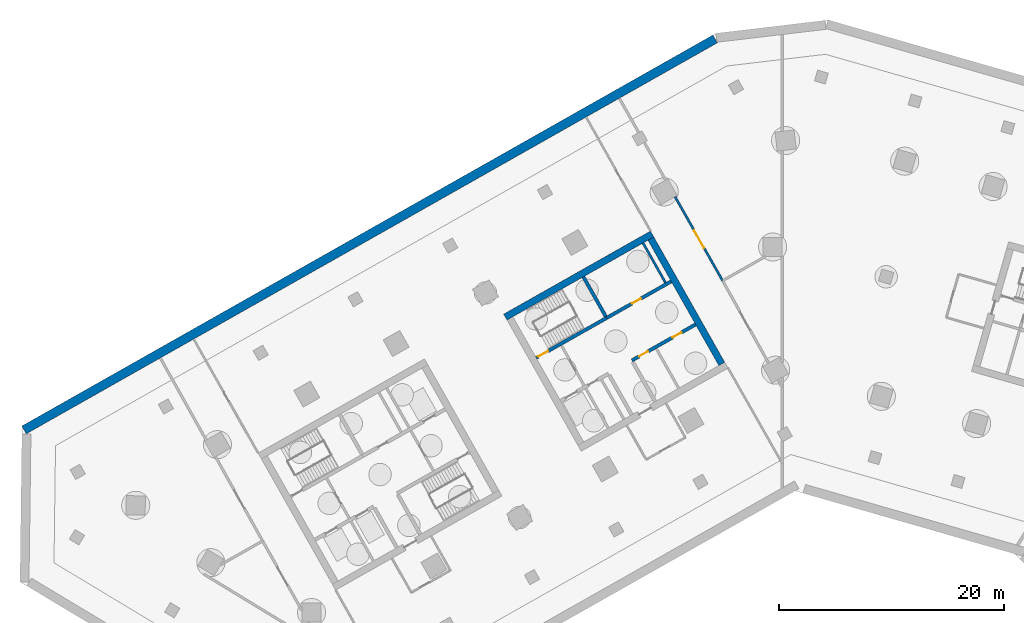
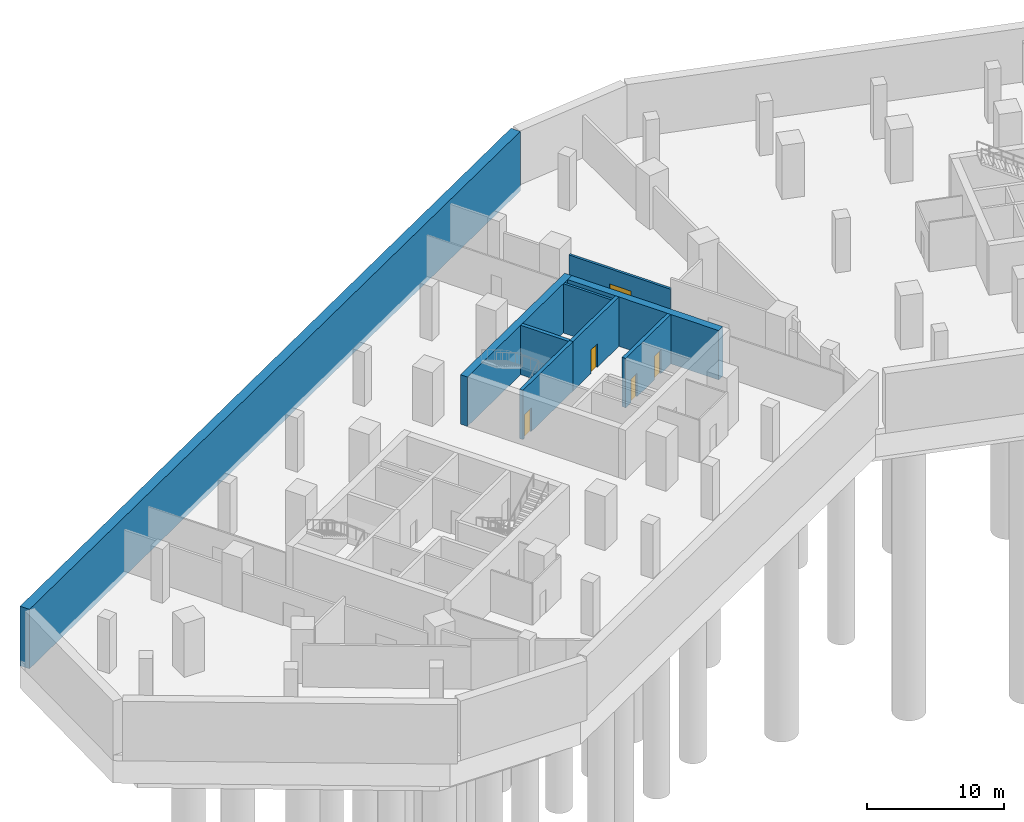
# One storey, part 4 of 11: 9 walls, 5 doors, 5 openings.
"""IFC4 building model written with IfcOpenShell, lengths in metres."""

from ifc_helpers import new_model, si_unit, direction, frame, frame_2d, origin, place, context, subcontext, project, spatial, rectangle, extrude, material, layer, layer_set, type_object, element, fill, save


model = new_model("IFC4")

# Units and contexts
model_context = context("Model", 3, precision=1e-05, world=origin(), true_north=direction((0.0, 1.0)))
body_context = subcontext(model_context, "Body", "Model", "MODEL_VIEW")
ifc_project = project(units=[si_unit("LENGTHUNIT", "METRE"), si_unit("AREAUNIT", "SQUARE_METRE"), si_unit("VOLUMEUNIT", "CUBIC_METRE"), si_unit("PLANEANGLEUNIT", "RADIAN"), si_unit("MASSUNIT", "GRAM", prefix="KILO")], contexts=[model_context])

# Site, building, storey
site_placement = place(None, origin())
site = spatial("IfcSite", under=ifc_project, at=site_placement, CompositionType="ELEMENT")
building_placement = place(site_placement, origin())
building = spatial("IfcBuilding", under=site, at=building_placement, Name="Binnacle Exchange Tower", CompositionType="ELEMENT")
storey_placement = place(building_placement, frame((0.0, 0.0, -9.60009765625)))
storey = spatial("IfcBuildingStorey", under=building, at=storey_placement, Name="B2", CompositionType="ELEMENT", Elevation=-9.60009765625)

# Wall
ifc_material_1 = material(Name="Concrete C40/50", Category="concrete")
ifc_layer_1 = layer(ifc_material_1, 0.800048828125)
ifc_layer_set_1 = layer_set([ifc_layer_1], Name="Basement retaining wall 800 Concrete C40/50")
wall_type_1 = type_object("IfcWallType", Name="Basement retaining wall 800 Concrete C40/50", PredefinedType="SOLIDWALL", material=ifc_layer_set_1)
wall_1_placement = place(storey_placement, frame((-5.97119140625, 78.502685546875, -0.5), z_axis=(0.0, 0.0, 1.0), x_axis=(-0.870356741611, -0.492421711882, 0.0)))
element("IfcWall", 1, at=wall_1_placement, inside=storey, type_object=wall_type_1, Name="S:RW:B2:04", PredefinedType="SOLIDWALL", context=body_context, shape_type="SweptSolid", body=[
    extrude(rectangle(XDim=70.604248046875, YDim=0.800048828125, at=frame_2d((35.30224609375, 0.0))), origin(), (0.0, 0.0, 1.0), 5.300048828125),
])

# Wall, openings, doors
ifc_material_2 = material(Name="Concrete C70/85", Category="concrete")
ifc_layer_2 = layer(ifc_material_2, 0.300048828125)
ifc_layer_set_2 = layer_set([ifc_layer_2], Name="Core wall - front 300")
wall_type_2 = type_object("IfcWallType", Name="Core wall - front 300", PredefinedType="SOLIDWALL", material=ifc_layer_set_2)
wall_2_placement = place(storey_placement, frame((-13.364501953125, 49.910888671875, 0.0), z_axis=(0.0, 0.0, 1.0), x_axis=(0.870340995471, 0.49244954219, 0.0)))
wall_2 = element("IfcWall", 2, at=wall_2_placement, inside=storey, type_object=wall_type_2, Name="Core wall CRWC3", PredefinedType="SOLIDWALL", context=body_context, shape_type="SweptSolid", body=[
    extrude(rectangle(XDim=6.5, YDim=0.300048828125, at=frame_2d((3.25, 0.0))), origin(), (0.0, 0.0, 1.0), 4.400146484375),
])
opening_1_placement = place(wall_2_placement, frame((0.75, 0.0, 0.0)))
opening_1 = element("IfcOpeningElement", 3, at=opening_1_placement, cuts=wall_2, Name="Opening DC18", PredefinedType="OPENING", context=body_context, shape_type="SweptSolid", body=[
    extrude(rectangle(XDim=0.89990234375, YDim=2.10009765625, at=frame_2d((0.449951171875, 1.050048828125))), frame((0.0, 0.159912109375, 0.0), z_axis=(0.0, -1.0, 0.0), x_axis=(1.0, 0.0, 0.0)), (0.0, 0.0, 1.0), 0.320068359375),
])
opening_2_placement = place(wall_2_placement, frame((4.14990234375, 0.0, 0.0)))
opening_2 = element("IfcOpeningElement", 4, at=opening_2_placement, cuts=wall_2, Name="Opening DC19", PredefinedType="OPENING", context=body_context, shape_type="SweptSolid", body=[
    extrude(rectangle(XDim=0.89990234375, YDim=2.10009765625, at=frame_2d((0.449951171875, 1.050048828125))), frame((0.0, 0.159912109375, 0.0), z_axis=(0.0, -1.0, 0.0), x_axis=(1.0, 0.0, 0.0)), (0.0, 0.0, 1.0), 0.320068359375),
])
ifc_material_3 = material(Name="Steel door leaf", Category="steel")
door_type_1 = type_object("IfcDoorType", Name="Fire door 900", OperationType="NOTDEFINED", PredefinedType="DOOR", material=ifc_material_3)
door_1_placement = place(opening_1_placement, frame((0.89990234375, 0.0, 0.0), z_axis=(0.0, 0.0, 1.0), x_axis=(-1.0, 0.0, 0.0)))
door_1 = element("IfcDoor", 5, at=door_1_placement, inside=storey, type_object=door_type_1, Name="Core room door IT STORE", OperationType="SINGLE_SWING_RIGHT", OverallHeight=2.10009765625, OverallWidth=0.89990234375, PredefinedType="DOOR", context=body_context, shape_type="SweptSolid", body=[
    extrude(rectangle(XDim=0.89990234375, YDim=2.10009765625, at=frame_2d((0.449951171875, 1.050048828125))), frame((0.0, 0.02490234375, 0.0), z_axis=(0.0, -1.0, 0.0), x_axis=(1.0, 0.0, 0.0)), (0.0, 0.0, 1.0), 0.050048828125),
])
fill(opening_1, door_1)
door_2_placement = place(opening_2_placement, frame((0.89990234375, 0.0, 0.0), z_axis=(0.0, 0.0, 1.0), x_axis=(-1.0, 0.0, 0.0)))
door_2 = element("IfcDoor", 6, at=door_2_placement, inside=storey, type_object=door_type_1, Name="Core room door TELECOM RISER ROOM", OperationType="SINGLE_SWING_LEFT", OverallHeight=2.10009765625, OverallWidth=0.89990234375, PredefinedType="DOOR", context=body_context, shape_type="SweptSolid", body=[
    extrude(rectangle(XDim=0.89990234375, YDim=2.10009765625, at=frame_2d((0.449951171875, 1.050048828125))), frame((0.0, 0.02490234375, 0.0), z_axis=(0.0, -1.0, 0.0), x_axis=(1.0, 0.0, 0.0)), (0.0, 0.0, 1.0), 0.050048828125),
])
fill(opening_2, door_2)

# Wall, opening, door
wall_3_placement = place(storey_placement, frame((-15.6181640625, 53.69140625, 0.0), z_axis=(0.0, 0.0, 1.0), x_axis=(0.870356769198, 0.492421663121, 0.0)))
wall_3 = element("IfcWall", 7, at=wall_3_placement, inside=storey, type_object=wall_type_2, Name="Core wall CRWC5", PredefinedType="SOLIDWALL", context=body_context, shape_type="SweptSolid", body=[
    extrude(rectangle(XDim=6.60009765625, YDim=0.300048828125, at=frame_2d((3.300048828125, 0.0))), origin(), (0.0, 0.0, 1.0), 4.400146484375),
])
opening_3_placement = place(wall_3_placement, frame((2.60009765625, 0.0, 0.0)))
opening_3 = element("IfcOpeningElement", 8, at=opening_3_placement, cuts=wall_3, Name="Opening DC10", PredefinedType="OPENING", context=body_context, shape_type="SweptSolid", body=[
    extrude(rectangle(XDim=0.89990234375, YDim=2.10009765625, at=frame_2d((0.449951171875, 1.050048828125))), frame((0.0, 0.159912109375, 0.0), z_axis=(0.0, -1.0, 0.0), x_axis=(1.0, 0.0, 0.0)), (0.0, 0.0, 1.0), 0.320068359375),
])
door_3_placement = place(opening_3_placement, origin())
door_3 = element("IfcDoor", 9, at=door_3_placement, inside=storey, type_object=door_type_1, Name="Core room door STAFF PANTRY AND STORE", OperationType="SINGLE_SWING_LEFT", OverallHeight=2.10009765625, OverallWidth=0.89990234375, PredefinedType="DOOR", context=body_context, shape_type="SweptSolid", body=[
    extrude(rectangle(XDim=0.89990234375, YDim=2.10009765625, at=frame_2d((0.449951171875, 1.050048828125))), frame((0.0, 0.02490234375, 0.0), z_axis=(0.0, -1.0, 0.0), x_axis=(1.0, 0.0, 0.0)), (0.0, 0.0, 1.0), 0.050048828125),
])
fill(opening_3, door_3)

# Walls
ifc_layer_3 = layer(ifc_material_2, 0.60009765625)
ifc_layer_set_3 = layer_set([ifc_layer_3], Name="Core wall - outer 600")
wall_type_3 = type_object("IfcWallType", Name="Core wall - outer 600", PredefinedType="SOLIDWALL", material=ifc_layer_set_3)
wall_4_placement = place(storey_placement, frame((-24.622802734375, 53.76708984375, 0.0), z_axis=(0.0, 0.0, 1.0), x_axis=(0.870356627484, 0.492421913601, 0.0)))
element("IfcWall", 10, at=wall_4_placement, inside=storey, type_object=wall_type_3, Name="Core wall CRWC6", PredefinedType="SOLIDWALL", context=body_context, shape_type="SweptSolid", body=[
    extrude(rectangle(XDim=14.999755859375, YDim=0.60009765625, at=frame_2d((7.5, 0.0))), origin(), (0.0, 0.0, 1.0), 4.400146484375),
])
wall_5_placement = place(storey_placement, frame((-11.680908203125, 60.744384765625, 0.0), z_axis=(0.0, 0.0, 1.0), x_axis=(0.492426772896, -0.870353878221, 0.0)))
element("IfcWall", 11, at=wall_5_placement, inside=storey, type_object=wall_type_3, Name="Core wall CRWC24", PredefinedType="SOLIDWALL", context=body_context, shape_type="SweptSolid", body=[
    extrude(rectangle(XDim=12.7998046875, YDim=0.60009765625, at=frame_2d((6.39990234375, 0.0))), origin(), (0.0, 0.0, 1.0), 4.400146484375),
])

# Wall, opening, door
ifc_layer_4 = layer(ifc_material_2, 0.300048828125)
ifc_layer_set_4 = layer_set([ifc_layer_4], Name="Core wall - stair 300")
wall_type_4 = type_object("IfcWallType", Name="Core wall - stair 300", PredefinedType="SOLIDWALL", material=ifc_layer_set_4)
wall_6_placement = place(storey_placement, frame((-21.884765625, 50.14599609375, 0.0), z_axis=(0.0, 0.0, 1.0), x_axis=(0.870359411463, 0.492416992881, 0.0)))
wall_6 = element("IfcWall", 12, at=wall_6_placement, inside=storey, type_object=wall_type_4, Name="Core wall CRWC4", PredefinedType="SOLIDWALL", context=body_context, shape_type="SweptSolid", body=[
    extrude(rectangle(XDim=7.199951171875, YDim=0.300048828125, at=frame_2d((3.60009765625, 0.0))), origin(), (0.0, 0.0, 1.0), 4.400146484375),
])
opening_4_placement = place(wall_6_placement, frame((0.199951171875, 0.0, 0.0)))
opening_4 = element("IfcOpeningElement", 13, at=opening_4_placement, cuts=wall_6, Name="Opening DC1", PredefinedType="OPENING", context=body_context, shape_type="SweptSolid", body=[
    extrude(rectangle(XDim=1.0, YDim=2.10009765625, at=frame_2d((0.5, 1.050048828125))), frame((0.0, 0.159912109375, 0.0), z_axis=(0.0, -1.0, 0.0), x_axis=(1.0, 0.0, 0.0)), (0.0, 0.0, 1.0), 0.320068359375),
])
door_type_2 = type_object("IfcDoorType", Name="Fire door 1000", OperationType="NOTDEFINED", PredefinedType="DOOR", material=ifc_material_3)
door_4_placement = place(opening_4_placement, origin())
door_4 = element("IfcDoor", 14, at=door_4_placement, inside=storey, type_object=door_type_2, Name="Stair door ST-C1", OperationType="SINGLE_SWING_LEFT", OverallHeight=2.10009765625, OverallWidth=1.0, PredefinedType="DOOR", context=body_context, shape_type="SweptSolid", body=[
    extrude(rectangle(XDim=1.0, YDim=2.10009765625, at=frame_2d((0.5, 1.050048828125))), frame((0.0, 0.02490234375, 0.0), z_axis=(0.0, -1.0, 0.0), x_axis=(1.0, 0.0, 0.0)), (0.0, 0.0, 1.0), 0.050048828125),
])
fill(opening_4, door_4)

# Wall
wall_7_placement = place(storey_placement, frame((-17.686279296875, 57.3466796875, 0.0), z_axis=(0.0, 0.0, 1.0), x_axis=(0.492420746998, -0.870357287513, 0.0)))
element("IfcWall", 15, at=wall_7_placement, inside=storey, type_object=wall_type_4, Name="Core wall CRWC14", PredefinedType="SOLIDWALL", context=body_context, shape_type="SweptSolid", body=[
    extrude(rectangle(XDim=4.049560546875, YDim=0.300048828125, at=frame_2d((2.02490234375, 0.0))), origin(), (0.0, 0.0, 1.0), 4.400146484375),
])

# Wall, opening, door
ifc_material_4 = material(Name="Masonry block wall", Category="masonry")
ifc_layer_5 = layer(ifc_material_4, 0.199951171875)
ifc_layer_set_5 = layer_set([ifc_layer_5], Name="Fire wall - block 200")
wall_type_5 = type_object("IfcWallType", Name="Fire wall - block 200", PredefinedType="PARTITIONING", material=ifc_layer_set_5)
wall_8_placement = place(storey_placement, frame((-9.531982421875, 64.469970703125, 0.0), z_axis=(0.0, 0.0, 1.0), x_axis=(0.492882680299, -0.870095778326, 0.0)))
wall_8 = element("IfcWall", 16, at=wall_8_placement, inside=storey, type_object=wall_type_5, Name="Partition W21", PredefinedType="PARTITIONING", context=body_context, shape_type="SweptSolid", body=[
    extrude(rectangle(XDim=8.583984375, YDim=0.199951171875, at=frame_2d((4.2919921875, 0.0))), origin(), (0.0, 0.0, 1.0), 3.462158203125),
])
opening_5_placement = place(wall_8_placement, frame((3.449951171875, 0.0, 0.0)))
opening_5 = element("IfcOpeningElement", 17, at=opening_5_placement, cuts=wall_8, Name="Opening DB2-07", PredefinedType="OPENING", context=body_context, shape_type="SweptSolid", body=[
    extrude(rectangle(XDim=1.800048828125, YDim=2.10009765625, at=frame_2d((0.89990234375, 1.050048828125))), frame((0.0, 0.10986328125, 0.0), z_axis=(0.0, -1.0, 0.0), x_axis=(1.0, 0.0, 0.0)), (0.0, 0.0, 1.0), 0.219970703125),
])
door_type_3 = type_object("IfcDoorType", Name="Fire door 1800", OperationType="NOTDEFINED", PredefinedType="DOOR", material=ifc_material_3)
door_5_placement = place(opening_5_placement, origin())
door_5 = element("IfcDoor", 18, at=door_5_placement, inside=storey, type_object=door_type_3, Name="Door DB2-07", OperationType="DOUBLE_DOOR_SINGLE_SWING", OverallHeight=2.10009765625, OverallWidth=1.800048828125, PredefinedType="DOOR", context=body_context, shape_type="SweptSolid", body=[
    extrude(rectangle(XDim=1.800048828125, YDim=2.10009765625, at=frame_2d((0.89990234375, 1.050048828125))), frame((0.0, 0.02490234375, 0.0), z_axis=(0.0, -1.0, 0.0), x_axis=(1.0, 0.0, 0.0)), (0.0, 0.0, 1.0), 0.050048828125),
])
fill(opening_5, door_5)

# Wall
ifc_layer_6 = layer(ifc_material_4, 0.199951171875)
ifc_layer_set_6 = layer_set([ifc_layer_6], Name="Riser wall 200")
wall_type_6 = type_object("IfcWallType", Name="Riser wall 200", PredefinedType="SOLIDWALL", material=ifc_layer_set_6)
wall_9_placement = place(storey_placement, frame((-12.377197265625, 60.3505859375, 0.0), z_axis=(0.0, 0.0, 1.0), x_axis=(0.492440575896, -0.870346068648, 0.0)))
element("IfcWall", 19, at=wall_9_placement, inside=storey, type_object=wall_type_6, Name="Core wall CRWC23", PredefinedType="SOLIDWALL", context=body_context, shape_type="SweptSolid", body=[
    extrude(rectangle(XDim=4.050048828125, YDim=0.199951171875, at=frame_2d((2.02490234375, 0.0))), origin(), (0.0, 0.0, 1.0), 4.400146484375),
])

save(model, "model.ifc")
